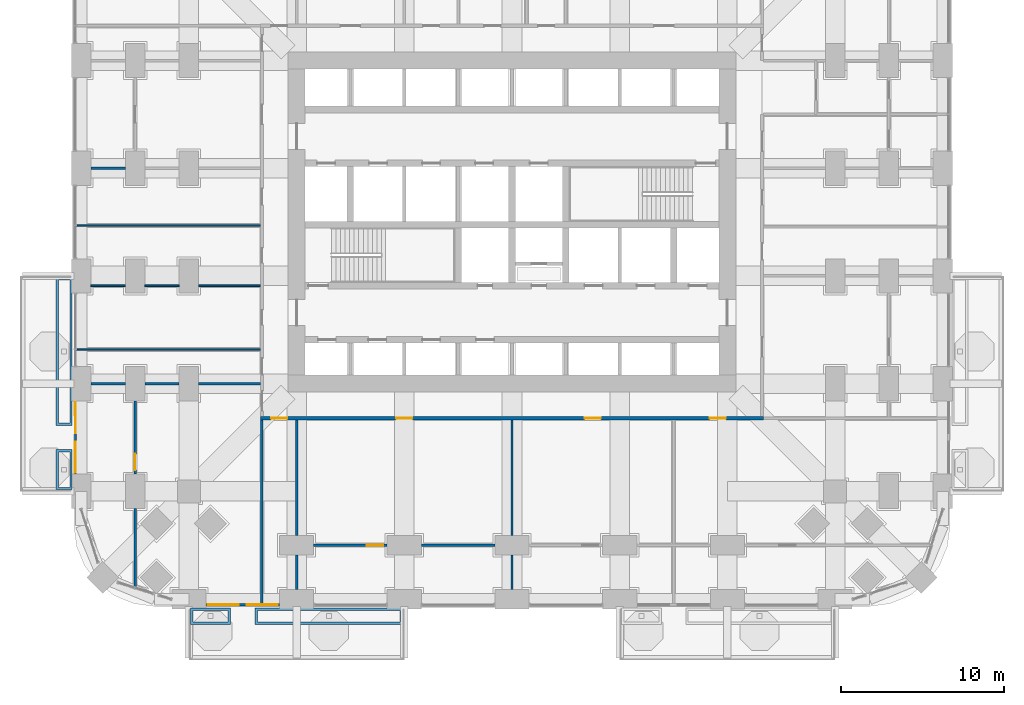
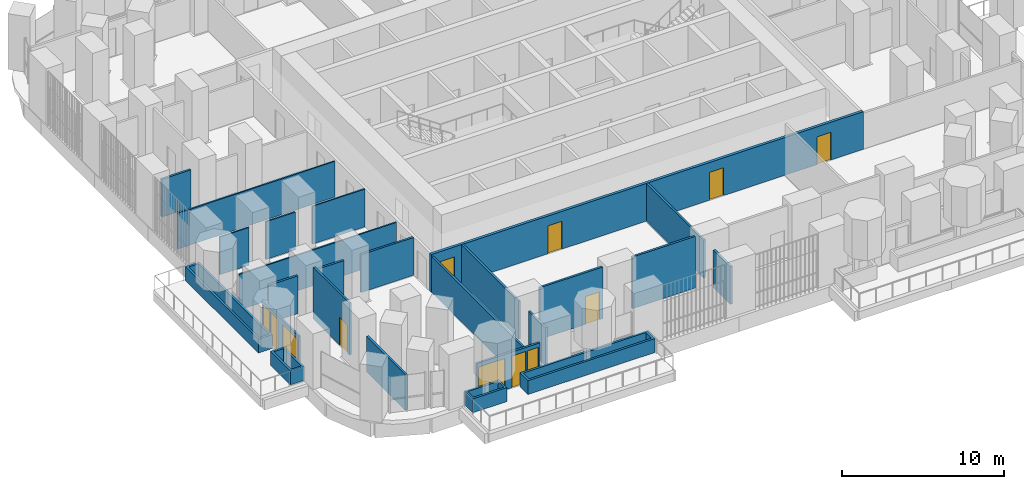
# One storey, part 18 of 27: 25 walls, 8 doors, 4 windows, 12 openings.
"""IFC4 building model written with IfcOpenShell, lengths in metres."""

from ifc_helpers import new_model, si_unit, direction, frame, frame_2d, origin, place, context, subcontext, project, spatial, polyline, rectangle, outline, extrude, material, layer, layer_set, type_object, element, fill, save


model = new_model("IFC4")

# Units and contexts
model_context = context("Model", 3, precision=1e-05, world=origin(), true_north=direction((0.0, 1.0)))
body_context = subcontext(model_context, "Body", "Model", "MODEL_VIEW")
ifc_project = project(units=[si_unit("LENGTHUNIT", "METRE"), si_unit("AREAUNIT", "SQUARE_METRE"), si_unit("VOLUMEUNIT", "CUBIC_METRE"), si_unit("PLANEANGLEUNIT", "RADIAN"), si_unit("MASSUNIT", "GRAM", prefix="KILO")], contexts=[model_context])

# Site, building, storey
site_placement = place(None, origin())
site = spatial("IfcSite", under=ifc_project, at=site_placement, CompositionType="ELEMENT")
building_placement = place(site_placement, origin())
building = spatial("IfcBuilding", under=site, at=building_placement, Name="Cobogo Forest Laboratory Tower", CompositionType="ELEMENT")
storey_placement = place(building_placement, frame((0.0, 0.0, 29.699951171875)))
storey = spatial("IfcBuildingStorey", under=building, at=storey_placement, Name="L06", CompositionType="ELEMENT", Elevation=29.699951171875)

# Wall, openings, door, windows
ifc_material_1 = material(Name="Aluminium framed glazed screen", Category="aluminium")
ifc_layer_1 = layer(ifc_material_1, 0.14990234375)
ifc_layer_set_1 = layer_set([ifc_layer_1], Name="GS1 glazed door screen 150")
wall_type_1 = type_object("IfcWallType", Name="GS1 glazed door screen 150", PredefinedType="SOLIDWALL", material=ifc_layer_set_1)
wall_1_placement = place(storey_placement, frame((7.64990234375, -0.35009765625, 0.0), z_axis=(0.0, 0.0, 1.0), x_axis=(1.0, 0.0, 0.0)))
wall_1 = element("IfcWall", 1, at=wall_1_placement, inside=storey, type_object=wall_type_1, Name="Door screen BAL-S1 L06", PredefinedType="SOLIDWALL", context=body_context, shape_type="SweptSolid", body=[
    extrude(rectangle(XDim=4.5, YDim=0.14990234375, at=frame_2d((2.25, 0.0))), origin(), (0.0, 0.0, 1.0), 2.699951171875),
])
opening_1_placement = place(wall_1_placement, frame((2.5, 0.0, 0.0)))
opening_1 = element("IfcOpeningElement", 2, at=opening_1_placement, cuts=wall_1, Name="Opening L06-D01", PredefinedType="OPENING", context=body_context, shape_type="SweptSolid", body=[
    extrude(rectangle(XDim=1.0, YDim=2.39990234375, at=frame_2d((0.5, 1.199951171875))), frame((0.0, 0.0849609375, 0.0), z_axis=(0.0, -1.0, 0.0), x_axis=(1.0, 0.0, 0.0)), (0.0, 0.0, 1.0), 0.169921875),
])
opening_2_placement = place(wall_1_placement, frame((0.10009765625, 0.0, 0.10009765625)))
opening_2 = element("IfcOpeningElement", 3, at=opening_2_placement, cuts=wall_1, Name="Opening L06-W01", PredefinedType="OPENING", context=body_context, shape_type="SweptSolid", body=[
    extrude(rectangle(XDim=1.89990234375, YDim=2.300048828125, at=frame_2d((0.949951171875, 1.14990234375))), frame((0.0, 0.0849609375, 0.0), z_axis=(0.0, -1.0, 0.0), x_axis=(1.0, 0.0, 0.0)), (0.0, 0.0, 1.0), 0.169921875),
])
opening_3_placement = place(wall_1_placement, frame((3.60009765625, 0.0, 0.10009765625)))
opening_3 = element("IfcOpeningElement", 4, at=opening_3_placement, cuts=wall_1, Name="Opening L06-W02", PredefinedType="OPENING", context=body_context, shape_type="SweptSolid", body=[
    extrude(rectangle(XDim=0.800048828125, YDim=2.300048828125, at=frame_2d((0.39990234375, 1.14990234375))), frame((0.0, 0.0849609375, 0.0), z_axis=(0.0, -1.0, 0.0), x_axis=(1.0, 0.0, 0.0)), (0.0, 0.0, 1.0), 0.169921875),
])
ifc_material_2 = material(Name="Aluminium glazed door", Category="aluminium")
door_type_1 = type_object("IfcDoorType", Name="DB1 balcony door 1000 glazed", OperationType="SINGLE_SWING_LEFT", PredefinedType="DOOR", material=ifc_material_2)
door_1_placement = place(opening_1_placement, origin())
door_1 = element("IfcDoor", 5, at=door_1_placement, inside=storey, type_object=door_type_1, Name="Door L06-BAL-S1", OperationType="SINGLE_SWING_RIGHT", OverallHeight=2.39990234375, OverallWidth=1.0, PredefinedType="DOOR", context=body_context, shape_type="SweptSolid", body=[
    extrude(rectangle(XDim=1.0, YDim=2.39990234375, at=frame_2d((0.5, 1.199951171875))), frame((0.0, 0.02490234375, 0.0), z_axis=(0.0, -1.0, 0.0), x_axis=(1.0, 0.0, 0.0)), (0.0, 0.0, 1.0), 0.050048828125),
])
fill(opening_1, door_1)
ifc_material_3 = material(Name="Aluminium framed glazing", Category="aluminium")
window_type_1 = type_object("IfcWindowType", Name="WG3 fixed glazed light 1900x2300", PartitioningType="SINGLE_PANEL", PredefinedType="WINDOW", material=ifc_material_3)
window_1_placement = place(opening_2_placement, origin())
window_1 = element("IfcWindow", 6, at=window_1_placement, inside=storey, type_object=window_type_1, Name="Window L06-BAL-S1-1", OverallHeight=2.300048828125, OverallWidth=1.89990234375, PartitioningType="SINGLE_PANEL", PredefinedType="WINDOW", context=body_context, shape_type="SweptSolid", body=[
    extrude(rectangle(XDim=1.89990234375, YDim=2.300048828125, at=frame_2d((0.949951171875, 1.14990234375))), frame((0.0, 0.030029296875, 0.0), z_axis=(0.0, -1.0, 0.0), x_axis=(1.0, 0.0, 0.0)), (0.0, 0.0, 1.0), 0.06005859375),
])
fill(opening_2, window_1)
window_type_2 = type_object("IfcWindowType", Name="WG4 fixed glazed light 800x2300", PartitioningType="SINGLE_PANEL", PredefinedType="WINDOW", material=ifc_material_3)
window_2_placement = place(opening_3_placement, origin())
window_2 = element("IfcWindow", 7, at=window_2_placement, inside=storey, type_object=window_type_2, Name="Window L06-BAL-S1-2", OverallHeight=2.300048828125, OverallWidth=0.800048828125, PartitioningType="SINGLE_PANEL", PredefinedType="WINDOW", context=body_context, shape_type="SweptSolid", body=[
    extrude(rectangle(XDim=0.800048828125, YDim=2.300048828125, at=frame_2d((0.39990234375, 1.14990234375))), frame((0.0, 0.030029296875, 0.0), z_axis=(0.0, -1.0, 0.0), x_axis=(1.0, 0.0, 0.0)), (0.0, 0.0, 1.0), 0.06005859375),
])
fill(opening_3, window_2)

wall_2_placement = place(storey_placement, frame((-0.35009765625, 12.14990234375, 0.0), z_axis=(0.0, 0.0, 1.0), x_axis=(0.0, -1.0, 0.0)))
wall_2 = element("IfcWall", 8, at=wall_2_placement, inside=storey, type_object=wall_type_1, Name="Door screen BAL-W1 L06", PredefinedType="SOLIDWALL", context=body_context, shape_type="SweptSolid", body=[
    extrude(rectangle(XDim=4.5, YDim=0.14990234375, at=frame_2d((2.25, 0.0))), origin(), (0.0, 0.0, 1.0), 2.699951171875),
])
opening_4_placement = place(wall_2_placement, frame((1.0, 0.0, 0.0)))
opening_4 = element("IfcOpeningElement", 9, at=opening_4_placement, cuts=wall_2, Name="Opening L06-D07", PredefinedType="OPENING", context=body_context, shape_type="SweptSolid", body=[
    extrude(rectangle(XDim=1.0, YDim=2.39990234375, at=frame_2d((0.5, 1.199951171875))), frame((0.0, 0.0849609375, 0.0), z_axis=(0.0, -1.0, 0.0), x_axis=(1.0, 0.0, 0.0)), (0.0, 0.0, 1.0), 0.169921875),
])
opening_5_placement = place(wall_2_placement, frame((0.10009765625, 0.0, 0.10009765625)))
opening_5 = element("IfcOpeningElement", 10, at=opening_5_placement, cuts=wall_2, Name="Opening L06-W07", PredefinedType="OPENING", context=body_context, shape_type="SweptSolid", body=[
    extrude(rectangle(XDim=0.800048828125, YDim=2.300048828125, at=frame_2d((0.39990234375, 1.14990234375))), frame((0.0, 0.0849609375, 0.0), z_axis=(0.0, -1.0, 0.0), x_axis=(1.0, 0.0, 0.0)), (0.0, 0.0, 1.0), 0.169921875),
])
opening_6_placement = place(wall_2_placement, frame((2.5, 0.0, 0.10009765625)))
opening_6 = element("IfcOpeningElement", 11, at=opening_6_placement, cuts=wall_2, Name="Opening L06-W05", PredefinedType="OPENING", context=body_context, shape_type="SweptSolid", body=[
    extrude(rectangle(XDim=1.89990234375, YDim=2.300048828125, at=frame_2d((0.949951171875, 1.14990234375))), frame((0.0, 0.0849609375, 0.0), z_axis=(0.0, -1.0, 0.0), x_axis=(1.0, 0.0, 0.0)), (0.0, 0.0, 1.0), 0.169921875),
])
door_2_placement = place(opening_4_placement, origin())
door_2 = element("IfcDoor", 12, at=door_2_placement, inside=storey, type_object=door_type_1, Name="Door L06-BAL-W1", OperationType="SINGLE_SWING_LEFT", OverallHeight=2.39990234375, OverallWidth=1.0, PredefinedType="DOOR", context=body_context, shape_type="SweptSolid", body=[
    extrude(rectangle(XDim=1.0, YDim=2.39990234375, at=frame_2d((0.5, 1.199951171875))), frame((0.0, 0.02490234375, 0.0), z_axis=(0.0, -1.0, 0.0), x_axis=(1.0, 0.0, 0.0)), (0.0, 0.0, 1.0), 0.050048828125),
])
fill(opening_4, door_2)
window_3_placement = place(opening_6_placement, origin())
window_3 = element("IfcWindow", 13, at=window_3_placement, inside=storey, type_object=window_type_1, Name="Window L06-BAL-W1-2", OverallHeight=2.300048828125, OverallWidth=1.89990234375, PartitioningType="SINGLE_PANEL", PredefinedType="WINDOW", context=body_context, shape_type="SweptSolid", body=[
    extrude(rectangle(XDim=1.89990234375, YDim=2.300048828125, at=frame_2d((0.949951171875, 1.14990234375))), frame((0.0, 0.030029296875, 0.0), z_axis=(0.0, -1.0, 0.0), x_axis=(1.0, 0.0, 0.0)), (0.0, 0.0, 1.0), 0.06005859375),
])
fill(opening_6, window_3)
window_4_placement = place(opening_5_placement, origin())
window_4 = element("IfcWindow", 14, at=window_4_placement, inside=storey, type_object=window_type_2, Name="Window L06-BAL-W1-1", OverallHeight=2.300048828125, OverallWidth=0.800048828125, PartitioningType="SINGLE_PANEL", PredefinedType="WINDOW", context=body_context, shape_type="SweptSolid", body=[
    extrude(rectangle(XDim=0.800048828125, YDim=2.300048828125, at=frame_2d((0.39990234375, 1.14990234375))), frame((0.0, 0.030029296875, 0.0), z_axis=(0.0, -1.0, 0.0), x_axis=(1.0, 0.0, 0.0)), (0.0, 0.0, 1.0), 0.06005859375),
])
fill(opening_5, window_4)

# Wall
ifc_material_4 = material(Name="Gypsum board on steel studs", Category="steel")
ifc_layer_2 = layer(ifc_material_4, 0.14990234375)
ifc_layer_set_2 = layer_set([ifc_layer_2], Name="PT1 laboratory partition 150")
wall_type_2 = type_object("IfcWallType", Name="PT1 laboratory partition 150", PredefinedType="PARTITIONING", material=ifc_layer_set_2)
wall_3_placement = place(storey_placement, frame((11.074951171875, -0.27001953125, 0.0), z_axis=(0.0, 0.0, 1.0), x_axis=(0.0, 1.0, 0.0)))
element("IfcWall", 15, at=wall_3_placement, inside=storey, type_object=wall_type_2, Name="Partition PW-SW L06", PredefinedType="PARTITIONING", context=body_context, shape_type="SweptSolid", body=[
    extrude(rectangle(XDim=11.2451171875, YDim=0.14990234375, at=frame_2d((5.62255859375, 0.0))), origin(), (0.0, 0.0, 1.0), 2.699951171875),
])

# Wall, opening, door
wall_4_placement = place(storey_placement, frame((14.25, 3.300048828125, 0.0), z_axis=(0.0, 0.0, 1.0), x_axis=(1.0, 0.0, 0.0)))
wall_4 = element("IfcWall", 16, at=wall_4_placement, inside=storey, type_object=wall_type_2, Name="Partition STRIP-S-1 L06", PredefinedType="PARTITIONING", context=body_context, shape_type="SweptSolid", body=[
    extrude(rectangle(XDim=4.5, YDim=0.14990234375, at=frame_2d((2.25, 0.0))), origin(), (0.0, 0.0, 1.0), 3.900146484375),
])
opening_7_placement = place(wall_4_placement, frame((3.25, 0.0, 0.0)))
opening_7 = element("IfcOpeningElement", 17, at=opening_7_placement, cuts=wall_4, Name="Opening L06-D03", PredefinedType="OPENING", context=body_context, shape_type="SweptSolid", body=[
    extrude(rectangle(XDim=1.0, YDim=2.10009765625, at=frame_2d((0.5, 1.050048828125))), frame((0.0, 0.0849609375, 0.0), z_axis=(0.0, -1.0, 0.0), x_axis=(1.0, 0.0, 0.0)), (0.0, 0.0, 1.0), 0.169921875),
])
ifc_material_5 = material(Name="Timber fire door", Category="wood")
door_type_2 = type_object("IfcDoorType", Name="FD2 fire door 1000 EI2 30", OperationType="SINGLE_SWING_LEFT", PredefinedType="DOOR", material=ifc_material_5)
door_3_placement = place(opening_7_placement, origin())
door_3 = element("IfcDoor", 18, at=door_3_placement, inside=storey, type_object=door_type_2, Name="Door L06-S2W", OperationType="SINGLE_SWING_RIGHT", OverallHeight=2.10009765625, OverallWidth=1.0, PredefinedType="DOOR", context=body_context, shape_type="SweptSolid", body=[
    extrude(rectangle(XDim=1.0, YDim=2.10009765625, at=frame_2d((0.5, 1.050048828125))), frame((0.0, 0.02490234375, 0.0), z_axis=(0.0, -1.0, 0.0), x_axis=(1.0, 0.0, 0.0)), (0.0, 0.0, 1.0), 0.050048828125),
])
fill(opening_7, door_3)

# Walls
wall_5_placement = place(storey_placement, frame((20.85009765625, 3.300048828125, 0.0), z_axis=(0.0, 0.0, 1.0), x_axis=(1.0, 0.0, 0.0)))
element("IfcWall", 19, at=wall_5_placement, inside=storey, type_object=wall_type_2, Name="Partition STRIP-S-2 L06", PredefinedType="PARTITIONING", context=body_context, shape_type="SweptSolid", body=[
    extrude(rectangle(XDim=4.5, YDim=0.14990234375, at=frame_2d((2.25, 0.0))), origin(), (0.0, 0.0, 1.0), 3.900146484375),
])
wall_6_placement = place(storey_placement, frame((13.199951171875, 0.60009765625, 0.0), z_axis=(0.0, 0.0, 1.0), x_axis=(0.0, 1.0, 0.0)))
element("IfcWall", 20, at=wall_6_placement, inside=storey, type_object=wall_type_2, Name="Partition CUT-S13.2-1 L06", PredefinedType="PARTITIONING", context=body_context, shape_type="SweptSolid", body=[
    extrude(rectangle(XDim=2.099853515625, YDim=0.14990234375, at=frame_2d((1.0498046875, 0.0))), origin(), (0.0, 0.0, 1.0), 2.85009765625),
])
wall_7_placement = place(storey_placement, frame((13.199951171875, 3.89990234375, 0.0), z_axis=(0.0, 0.0, 1.0), x_axis=(0.0, 1.0, 0.0)))
element("IfcWall", 21, at=wall_7_placement, inside=storey, type_object=wall_type_2, Name="Partition CUT-S13.2-2 L06", PredefinedType="PARTITIONING", context=body_context, shape_type="SweptSolid", body=[
    extrude(rectangle(XDim=7.0751953125, YDim=0.14990234375, at=frame_2d((3.53759765625, 0.0))), origin(), (0.0, 0.0, 1.0), 2.85009765625),
])
wall_8_placement = place(storey_placement, frame((26.39990234375, 0.60009765625, 0.0), z_axis=(0.0, 0.0, 1.0), x_axis=(0.0, 1.0, 0.0)))
element("IfcWall", 22, at=wall_8_placement, inside=storey, type_object=wall_type_2, Name="Partition CUT-S26.4a-1 L06", PredefinedType="PARTITIONING", context=body_context, shape_type="SweptSolid", body=[
    extrude(rectangle(XDim=2.099853515625, YDim=0.14990234375, at=frame_2d((1.0498046875, 0.0))), origin(), (0.0, 0.0, 1.0), 2.85009765625),
])
wall_9_placement = place(storey_placement, frame((26.39990234375, 3.89990234375, 0.0), z_axis=(0.0, 0.0, 1.0), x_axis=(0.0, 1.0, 0.0)))
element("IfcWall", 23, at=wall_9_placement, inside=storey, type_object=wall_type_2, Name="Partition CUT-S26.4b-1 L06", PredefinedType="PARTITIONING", context=body_context, shape_type="SweptSolid", body=[
    extrude(rectangle(XDim=7.0751953125, YDim=0.14990234375, at=frame_2d((3.53759765625, 0.0))), origin(), (0.0, 0.0, 1.0), 2.85009765625),
])

# Wall, opening, door
wall_10_placement = place(storey_placement, frame((3.300048828125, 12.14990234375, 0.0), z_axis=(0.0, 0.0, 1.0), x_axis=(0.0, -1.0, 0.0)))
wall_10 = element("IfcWall", 24, at=wall_10_placement, inside=storey, type_object=wall_type_2, Name="Partition STRIP-W-2 L06", PredefinedType="PARTITIONING", context=body_context, shape_type="SweptSolid", body=[
    extrude(rectangle(XDim=4.5, YDim=0.14990234375, at=frame_2d((2.25, 0.0))), origin(), (0.0, 0.0, 1.0), 3.900146484375),
])
opening_8_placement = place(wall_10_placement, frame((3.25, 0.0, 0.0)))
opening_8 = element("IfcOpeningElement", 25, at=opening_8_placement, cuts=wall_10, Name="Opening L06-D06", PredefinedType="OPENING", context=body_context, shape_type="SweptSolid", body=[
    extrude(rectangle(XDim=1.0, YDim=2.10009765625, at=frame_2d((0.5, 1.050048828125))), frame((0.0, 0.0849609375, 0.0), z_axis=(0.0, -1.0, 0.0), x_axis=(1.0, 0.0, 0.0)), (0.0, 0.0, 1.0), 0.169921875),
])
door_4_placement = place(opening_8_placement, origin())
door_4 = element("IfcDoor", 26, at=door_4_placement, inside=storey, type_object=door_type_2, Name="Door L06-W1W", OperationType="SINGLE_SWING_RIGHT", OverallHeight=2.10009765625, OverallWidth=1.0, PredefinedType="DOOR", context=body_context, shape_type="SweptSolid", body=[
    extrude(rectangle(XDim=1.0, YDim=2.10009765625, at=frame_2d((0.5, 1.050048828125))), frame((0.0, 0.02490234375, 0.0), z_axis=(0.0, -1.0, 0.0), x_axis=(1.0, 0.0, 0.0)), (0.0, 0.0, 1.0), 0.050048828125),
])
fill(opening_8, door_4)

# Walls
wall_11_placement = place(storey_placement, frame((3.300048828125, 5.550048828125, 0.0), z_axis=(0.0, 0.0, 1.0), x_axis=(0.0, -1.0, 0.0)))
element("IfcWall", 27, at=wall_11_placement, inside=storey, type_object=wall_type_2, Name="Partition STRIP-W-3 L06", PredefinedType="PARTITIONING", context=body_context, shape_type="SweptSolid", body=[
    extrude(rectangle(XDim=4.77392578125, YDim=0.14990234375, at=frame_2d((2.386962890625, 0.0))), origin(), (0.0, 0.0, 1.0), 2.699951171875),
])
wall_12_placement = place(storey_placement, frame((0.60009765625, 13.199951171875, 0.0), z_axis=(0.0, 0.0, 1.0), x_axis=(1.0, 0.0, 0.0)))
element("IfcWall", 28, at=wall_12_placement, inside=storey, type_object=wall_type_2, Name="Partition CUT-W13.2-1 L06", PredefinedType="PARTITIONING", context=body_context, shape_type="SweptSolid", body=[
    extrude(rectangle(XDim=2.099853515625, YDim=0.14990234375, at=frame_2d((1.0498046875, 0.0))), origin(), (0.0, 0.0, 1.0), 2.85009765625),
])
wall_13_placement = place(storey_placement, frame((3.89990234375, 13.199951171875, 0.0), z_axis=(0.0, 0.0, 1.0), x_axis=(1.0, 0.0, 0.0)))
element("IfcWall", 29, at=wall_13_placement, inside=storey, type_object=wall_type_2, Name="Partition CUT-W13.2-2 L06", PredefinedType="PARTITIONING", context=body_context, shape_type="SweptSolid", body=[
    extrude(rectangle(XDim=2.10009765625, YDim=0.14990234375, at=frame_2d((1.050048828125, 0.0))), origin(), (0.0, 0.0, 1.0), 2.85009765625),
])
wall_14_placement = place(storey_placement, frame((7.199951171875, 13.199951171875, 0.0), z_axis=(0.0, 0.0, 1.0), x_axis=(1.0, 0.0, 0.0)))
element("IfcWall", 30, at=wall_14_placement, inside=storey, type_object=wall_type_2, Name="Partition CUT-W13.2-3 L06", PredefinedType="PARTITIONING", context=body_context, shape_type="SweptSolid", body=[
    extrude(rectangle(XDim=3.775146484375, YDim=0.14990234375, at=frame_2d((1.8876953125, 0.0))), origin(), (0.0, 0.0, 1.0), 2.85009765625),
])
wall_15_placement = place(storey_placement, frame((0.60009765625, 26.39990234375, 0.0), z_axis=(0.0, 0.0, 1.0), x_axis=(1.0, 0.0, 0.0)))
element("IfcWall", 31, at=wall_15_placement, inside=storey, type_object=wall_type_2, Name="Partition CUT-W26.4-1 L06", PredefinedType="PARTITIONING", context=body_context, shape_type="SweptSolid", body=[
    extrude(rectangle(XDim=2.099853515625, YDim=0.14990234375, at=frame_2d((1.0498046875, 0.0))), origin(), (0.0, 0.0, 1.0), 2.85009765625),
])

# Wall, openings, doors
ifc_layer_3 = layer(ifc_material_4, 0.199951171875)
ifc_layer_set_3 = layer_set([ifc_layer_3], Name="PT2 fire-rated corridor partition 200")
wall_type_3 = type_object("IfcWallType", Name="PT2 fire-rated corridor partition 200", PredefinedType="PARTITIONING", material=ifc_layer_set_3)
wall_16_placement = place(storey_placement, frame((10.97509765625, 11.074951171875, 0.0), z_axis=(0.0, 0.0, 1.0), x_axis=(1.0, 0.0, 0.0)))
wall_16 = element("IfcWall", 32, at=wall_16_placement, inside=storey, type_object=wall_type_3, Name="Partition CORR-S L06", PredefinedType="PARTITIONING", context=body_context, shape_type="SweptSolid", body=[
    extrude(rectangle(XDim=30.849853515625, YDim=0.199951171875, at=frame_2d((15.4248046875, 0.0))), origin(), (0.0, 0.0, 1.0), 2.85009765625),
])
opening_9_placement = place(wall_16_placement, frame((0.66259765625, 0.0, 0.0)))
opening_9 = element("IfcOpeningElement", 33, at=opening_9_placement, cuts=wall_16, Name="Opening L06-D09", PredefinedType="OPENING", context=body_context, shape_type="SweptSolid", body=[
    extrude(rectangle(XDim=1.0, YDim=2.10009765625, at=frame_2d((0.5, 1.050048828125))), frame((0.0, 0.10986328125, 0.0), z_axis=(0.0, -1.0, 0.0), x_axis=(1.0, 0.0, 0.0)), (0.0, 0.0, 1.0), 0.219970703125),
])
opening_10_placement = place(wall_16_placement, frame((8.324951171875, 0.0, 0.0)))
opening_10 = element("IfcOpeningElement", 34, at=opening_10_placement, cuts=wall_16, Name="Opening L06-D10", PredefinedType="OPENING", context=body_context, shape_type="SweptSolid", body=[
    extrude(rectangle(XDim=1.0, YDim=2.10009765625, at=frame_2d((0.5, 1.050048828125))), frame((0.0, 0.10986328125, 0.0), z_axis=(0.0, -1.0, 0.0), x_axis=(1.0, 0.0, 0.0)), (0.0, 0.0, 1.0), 0.219970703125),
])
opening_11_placement = place(wall_16_placement, frame((19.875, 0.0, 0.0)))
opening_11 = element("IfcOpeningElement", 35, at=opening_11_placement, cuts=wall_16, Name="Opening L06-D11", PredefinedType="OPENING", context=body_context, shape_type="SweptSolid", body=[
    extrude(rectangle(XDim=1.0, YDim=2.10009765625, at=frame_2d((0.5, 1.050048828125))), frame((0.0, 0.10986328125, 0.0), z_axis=(0.0, -1.0, 0.0), x_axis=(1.0, 0.0, 0.0)), (0.0, 0.0, 1.0), 0.219970703125),
])
opening_12_placement = place(wall_16_placement, frame((27.53759765625, 0.0, 0.0)))
opening_12 = element("IfcOpeningElement", 36, at=opening_12_placement, cuts=wall_16, Name="Opening L06-D12", PredefinedType="OPENING", context=body_context, shape_type="SweptSolid", body=[
    extrude(rectangle(XDim=1.0, YDim=2.10009765625, at=frame_2d((0.5, 1.050048828125))), frame((0.0, 0.10986328125, 0.0), z_axis=(0.0, -1.0, 0.0), x_axis=(1.0, 0.0, 0.0)), (0.0, 0.0, 1.0), 0.219970703125),
])
door_5_placement = place(opening_9_placement, origin())
door_5 = element("IfcDoor", 37, at=door_5_placement, inside=storey, type_object=door_type_2, Name="Door L06-S1", OperationType="SINGLE_SWING_LEFT", OverallHeight=2.10009765625, OverallWidth=1.0, PredefinedType="DOOR", context=body_context, shape_type="SweptSolid", body=[
    extrude(rectangle(XDim=1.0, YDim=2.10009765625, at=frame_2d((0.5, 1.050048828125))), frame((0.0, 0.02490234375, 0.0), z_axis=(0.0, -1.0, 0.0), x_axis=(1.0, 0.0, 0.0)), (0.0, 0.0, 1.0), 0.050048828125),
])
fill(opening_9, door_5)
door_6_placement = place(opening_10_placement, origin())
door_6 = element("IfcDoor", 38, at=door_6_placement, inside=storey, type_object=door_type_2, Name="Door L06-S2", OperationType="SINGLE_SWING_LEFT", OverallHeight=2.10009765625, OverallWidth=1.0, PredefinedType="DOOR", context=body_context, shape_type="SweptSolid", body=[
    extrude(rectangle(XDim=1.0, YDim=2.10009765625, at=frame_2d((0.5, 1.050048828125))), frame((0.0, 0.02490234375, 0.0), z_axis=(0.0, -1.0, 0.0), x_axis=(1.0, 0.0, 0.0)), (0.0, 0.0, 1.0), 0.050048828125),
])
fill(opening_10, door_6)
door_7_placement = place(opening_11_placement, origin())
door_7 = element("IfcDoor", 39, at=door_7_placement, inside=storey, type_object=door_type_2, Name="Door L06-S3", OperationType="SINGLE_SWING_RIGHT", OverallHeight=2.10009765625, OverallWidth=1.0, PredefinedType="DOOR", context=body_context, shape_type="SweptSolid", body=[
    extrude(rectangle(XDim=1.0, YDim=2.10009765625, at=frame_2d((0.5, 1.050048828125))), frame((0.0, 0.02490234375, 0.0), z_axis=(0.0, -1.0, 0.0), x_axis=(1.0, 0.0, 0.0)), (0.0, 0.0, 1.0), 0.050048828125),
])
fill(opening_11, door_7)
door_8_placement = place(opening_12_placement, origin())
door_8 = element("IfcDoor", 40, at=door_8_placement, inside=storey, type_object=door_type_2, Name="Door L06-S4", OperationType="SINGLE_SWING_RIGHT", OverallHeight=2.10009765625, OverallWidth=1.0, PredefinedType="DOOR", context=body_context, shape_type="SweptSolid", body=[
    extrude(rectangle(XDim=1.0, YDim=2.10009765625, at=frame_2d((0.5, 1.050048828125))), frame((0.0, 0.02490234375, 0.0), z_axis=(0.0, -1.0, 0.0), x_axis=(1.0, 0.0, 0.0)), (0.0, 0.0, 1.0), 0.050048828125),
])
fill(opening_12, door_8)

# Walls
ifc_layer_4 = layer(ifc_material_4, 0.10009765625)
ifc_layer_set_4 = layer_set([ifc_layer_4], Name="PT3 toilet partition 100")
wall_type_4 = type_object("IfcWallType", Name="PT3 toilet partition 100", PredefinedType="PARTITIONING", material=ifc_layer_set_4)
wall_17_placement = place(storey_placement, frame((-0.27001953125, 15.300048828125, 0.0), z_axis=(0.0, 0.0, 1.0), x_axis=(1.0, 0.0, 0.0)))
element("IfcWall", 41, at=wall_17_placement, inside=storey, type_object=wall_type_4, Name="Partition SVC-W1-1 L06", PredefinedType="PARTITIONING", context=body_context, shape_type="SweptSolid", body=[
    extrude(rectangle(XDim=11.2451171875, YDim=0.10009765625, at=frame_2d((5.62255859375, 0.0))), origin(), (0.0, 0.0, 1.0), 2.699951171875),
])
wall_18_placement = place(storey_placement, frame((0.60009765625, 19.199951171875, 0.0), z_axis=(0.0, 0.0, 1.0), x_axis=(1.0, 0.0, 0.0)))
element("IfcWall", 42, at=wall_18_placement, inside=storey, type_object=wall_type_4, Name="Partition SVC-W2-1 L06", PredefinedType="PARTITIONING", context=body_context, shape_type="SweptSolid", body=[
    extrude(rectangle(XDim=2.099853515625, YDim=0.10009765625, at=frame_2d((1.0498046875, 0.0))), origin(), (0.0, 0.0, 1.0), 2.85009765625),
])
wall_19_placement = place(storey_placement, frame((3.89990234375, 19.199951171875, 0.0), z_axis=(0.0, 0.0, 1.0), x_axis=(1.0, 0.0, 0.0)))
element("IfcWall", 43, at=wall_19_placement, inside=storey, type_object=wall_type_4, Name="Partition SVC-W2-2 L06", PredefinedType="PARTITIONING", context=body_context, shape_type="SweptSolid", body=[
    extrude(rectangle(XDim=2.10009765625, YDim=0.10009765625, at=frame_2d((1.050048828125, 0.0))), origin(), (0.0, 0.0, 1.0), 2.85009765625),
])
wall_20_placement = place(storey_placement, frame((7.199951171875, 19.199951171875, 0.0), z_axis=(0.0, 0.0, 1.0), x_axis=(1.0, 0.0, 0.0)))
element("IfcWall", 44, at=wall_20_placement, inside=storey, type_object=wall_type_4, Name="Partition SVC-W2-3 L06", PredefinedType="PARTITIONING", context=body_context, shape_type="SweptSolid", body=[
    extrude(rectangle(XDim=3.775146484375, YDim=0.10009765625, at=frame_2d((1.8876953125, 0.0))), origin(), (0.0, 0.0, 1.0), 2.85009765625),
])
wall_21_placement = place(storey_placement, frame((-0.27001953125, 22.89990234375, 0.0), z_axis=(0.0, 0.0, 1.0), x_axis=(1.0, 0.0, 0.0)))
element("IfcWall", 45, at=wall_21_placement, inside=storey, type_object=wall_type_4, Name="Partition SVC-W3-1 L06", PredefinedType="PARTITIONING", context=body_context, shape_type="SweptSolid", body=[
    extrude(rectangle(XDim=11.2451171875, YDim=0.10009765625, at=frame_2d((5.62255859375, 0.0))), origin(), (0.0, 0.0, 1.0), 2.699951171875),
])
ifc_material_6 = material(Name="Concrete HA-40 (C40/50)", Category="concrete")
ifc_layer_5 = layer(ifc_material_6, 0.14990234375)
ifc_layer_set_5 = layer_set([ifc_layer_5], Name="Planter box 1000x1050")
wall_type_5 = type_object("IfcWallType", Name="Planter box 1000x1050", PredefinedType="USERDEFINED", material=ifc_layer_set_5)
wall_22_placement = place(storey_placement, origin())
element("IfcWall", 46, at=wall_22_placement, inside=storey, type_object=wall_type_5, Name="Planter BAL-S1-1 L06", ObjectType="PLANTER", PredefinedType="USERDEFINED", context=body_context, shape_type="SweptSolid", body=[
    extrude(outline(polyline([(6.699951171875, -1.550048828125), (9.14990234375, -1.550048828125), (9.14990234375, -0.550048828125), (6.699951171875, -0.550048828125), (6.699951171875, -1.550048828125)]), holes=[polyline([(6.85009765625, -1.39990234375), (9.0, -1.39990234375), (9.0, -0.699951171875), (6.85009765625, -0.699951171875), (6.85009765625, -1.39990234375)])]), origin(), (0.0, 0.0, 1.0), 1.050048828125),
])
wall_23_placement = place(storey_placement, origin())
element("IfcWall", 47, at=wall_23_placement, inside=storey, type_object=wall_type_5, Name="Planter BAL-S1-2 L06", ObjectType="PLANTER", PredefinedType="USERDEFINED", context=body_context, shape_type="SweptSolid", body=[
    extrude(outline(polyline([(10.64990234375, -1.550048828125), (19.699951171875, -1.550048828125), (19.699951171875, -0.550048828125), (10.64990234375, -0.550048828125), (10.64990234375, -1.550048828125)]), holes=[polyline([(10.800048828125, -1.39990234375), (19.550048828125, -1.39990234375), (19.550048828125, -0.699951171875), (10.800048828125, -0.699951171875), (10.800048828125, -1.39990234375)])]), origin(), (0.0, 0.0, 1.0), 1.050048828125),
])
wall_24_placement = place(storey_placement, origin())
element("IfcWall", 48, at=wall_24_placement, inside=storey, type_object=wall_type_5, Name="Planter BAL-W1-1 L06", ObjectType="PLANTER", PredefinedType="USERDEFINED", context=body_context, shape_type="SweptSolid", body=[
    extrude(outline(polyline([(-1.550048828125, 6.699951171875), (-0.550048828125, 6.699951171875), (-0.550048828125, 9.14990234375), (-1.550048828125, 9.14990234375), (-1.550048828125, 6.699951171875)]), holes=[polyline([(-1.39990234375, 6.85009765625), (-0.699951171875, 6.85009765625), (-0.699951171875, 9.0), (-1.39990234375, 9.0), (-1.39990234375, 6.85009765625)])]), origin(), (0.0, 0.0, 1.0), 1.050048828125),
])
wall_25_placement = place(storey_placement, origin())
element("IfcWall", 49, at=wall_25_placement, inside=storey, type_object=wall_type_5, Name="Planter BAL-W1-2 L06", ObjectType="PLANTER", PredefinedType="USERDEFINED", context=body_context, shape_type="SweptSolid", body=[
    extrude(outline(polyline([(-1.550048828125, 10.64990234375), (-0.550048828125, 10.64990234375), (-0.550048828125, 19.699951171875), (-1.550048828125, 19.699951171875), (-1.550048828125, 10.64990234375)]), holes=[polyline([(-1.39990234375, 10.800048828125), (-0.699951171875, 10.800048828125), (-0.699951171875, 19.550048828125), (-1.39990234375, 19.550048828125), (-1.39990234375, 10.800048828125)])]), origin(), (0.0, 0.0, 1.0), 1.050048828125),
])

save(model, "model.ifc")
